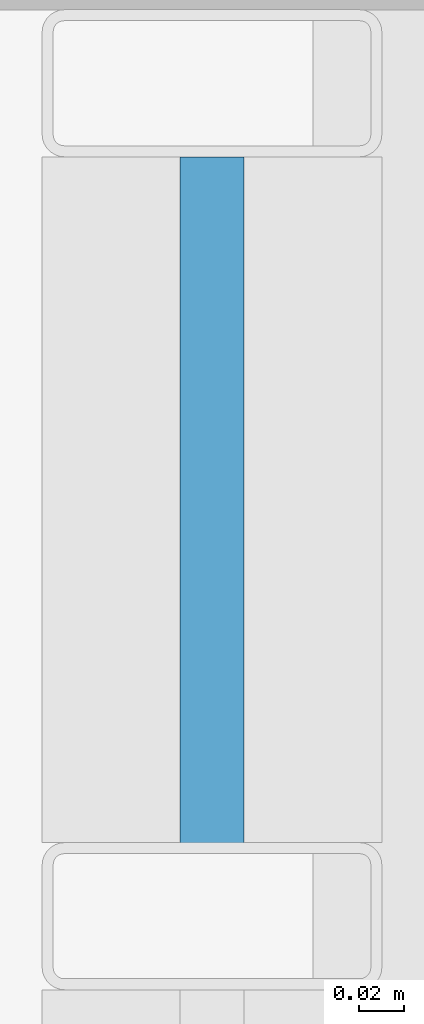
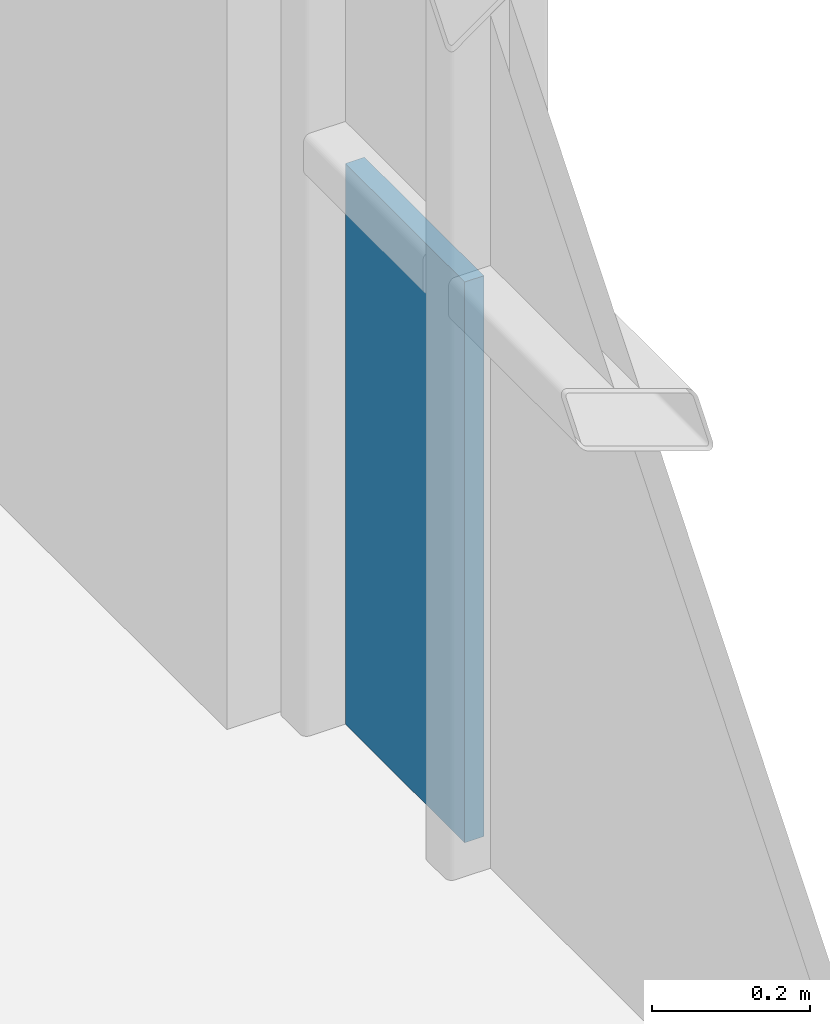
# One storey, part 25 of 35: 1 plate, 1 element without a shape of its own.
"""IFC4 building model written with IfcOpenShell, lengths in metres."""

from ifc_helpers import new_model, si_unit, direction, frame, origin, origin_2d, place, context, subcontext, project, spatial, rectangle, extrude, material, layer, layer_set, type_object, element, aggregate, save


model = new_model("IFC4")

# Units and contexts
model_context = context("Model", 3, precision=1e-05, world=origin(), true_north=direction((0.0, 1.0)))
body_context = subcontext(model_context, "Body", "Model", "MODEL_VIEW")
ifc_project = project(units=[si_unit("LENGTHUNIT", "METRE"), si_unit("AREAUNIT", "SQUARE_METRE"), si_unit("VOLUMEUNIT", "CUBIC_METRE"), si_unit("PLANEANGLEUNIT", "RADIAN"), si_unit("MASSUNIT", "GRAM", prefix="KILO")], contexts=[model_context])

# Site, building, storey
site_placement = place(None, origin())
site = spatial("IfcSite", under=ifc_project, at=site_placement, CompositionType="ELEMENT")
building_placement = place(site_placement, origin())
building = spatial("IfcBuilding", under=site, at=building_placement, Name="Brevholm Reach", CompositionType="ELEMENT")
storey_placement = place(building_placement, frame((0.0, 0.0, 214.39990234375)))
storey = spatial("IfcBuildingStorey", under=building, at=storey_placement, Name="L65", CompositionType="ELEMENT", Elevation=214.39990234375)

# Curtain wall, plate
ifc_material_1 = material(Name="Dark Anodised Aluminium 6063-T6 and Solar-Control Glass", Category="aluminium")
ifc_layer_1 = layer(ifc_material_1, 0.14990234375)
ifc_layer_set_1 = layer_set([ifc_layer_1], Name="Dark Anodised Aluminium 6063-T6 and Solar-Control Glass")
curtain_wall_type = type_object("IfcCurtainWallType", Name="CW-01", PredefinedType="NOTDEFINED", material=ifc_layer_set_1)
curtain_wall_placement = place(storey_placement, origin())
curtain_wall = element("IfcCurtainWall", 1, at=curtain_wall_placement, inside=storey, type_object=curtain_wall_type, Name="L65 Curtain Wall CW-01", PredefinedType="NOTDEFINED")
ifc_material_2 = material(Name="Dark Solar-Control Double-Glazed IGU Glass", Category="glass")
ifc_layer_2 = layer(ifc_material_2, 0.028076171875)
ifc_layer_set_2 = layer_set([ifc_layer_2], Name="Dark Solar-Control Double-Glazed IGU Glass")
plate_type = type_object("IfcPlateType", Name="CWP-GLZ-28", PredefinedType="CURTAIN_PANEL", material=ifc_layer_set_2)
plate_placement = place(storey_placement, frame((59.85009765625, 22.733642578125, 0.0), z_axis=(0.0, 0.0, 1.0), x_axis=(0.0, 1.0, 0.0)))
plate = element("IfcPlate", 2, at=plate_placement, type_object=plate_type, Name="CP-01 Glazing Panel 5.1", PredefinedType="CURTAIN_PANEL", context=body_context, shape_type="SweptSolid", body=[
    extrude(rectangle(XDim=0.302490234375, YDim=0.028076171875, at=origin_2d()), origin(), (0.0, 0.0, 1.0), 0.867431640625),
])
aggregate(curtain_wall, [plate])

save(model, "model.ifc")
